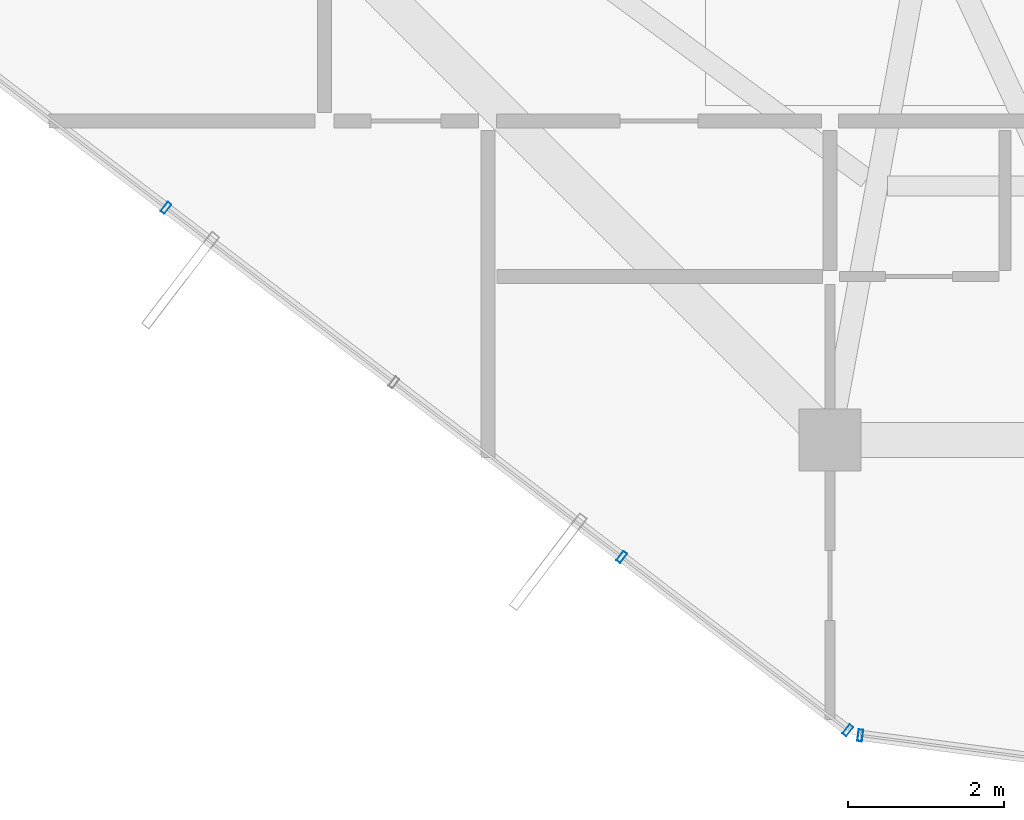
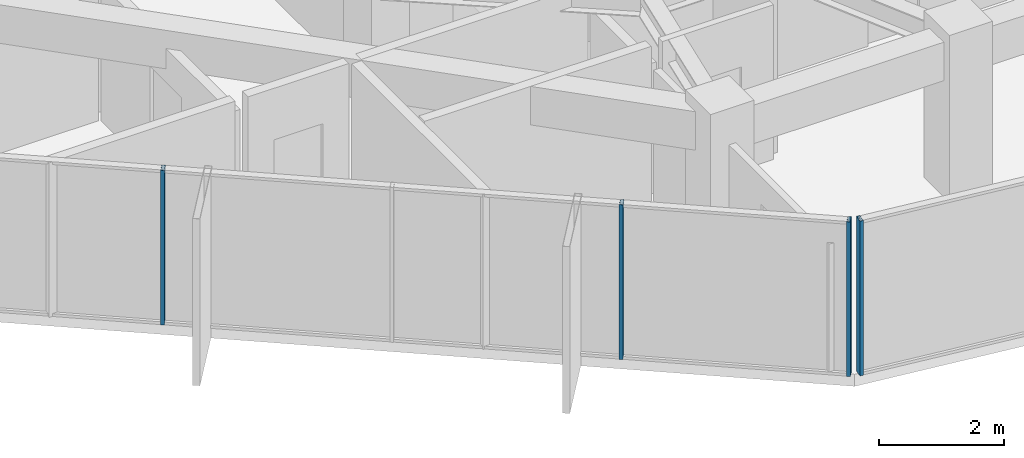
# One storey, part 4 of 31: 4 members, 2 elements without a shape of their own.
"""IFC4 building model written with IfcOpenShell, lengths in metres."""

from ifc_helpers import new_model, si_unit, direction, frame, origin, origin_2d, place, context, subcontext, project, spatial, hollow_rectangle, extrude, source, transform, mapped, material, layer, layer_set, material_profile, profile_set, type_object, element, aggregate, save


model = new_model("IFC4")

# Units and contexts
model_context = context("Model", 3, precision=1e-05, world=origin(), true_north=direction((0.0, 1.0)))
body_context = subcontext(model_context, "Body", "Model", "MODEL_VIEW")
ifc_project = project(units=[si_unit("LENGTHUNIT", "METRE"), si_unit("AREAUNIT", "SQUARE_METRE"), si_unit("VOLUMEUNIT", "CUBIC_METRE"), si_unit("PLANEANGLEUNIT", "RADIAN"), si_unit("MASSUNIT", "GRAM", prefix="KILO")], contexts=[model_context])

# Site, building, storey
site_placement = place(None, origin())
site = spatial("IfcSite", under=ifc_project, at=site_placement, CompositionType="ELEMENT")
building_placement = place(site_placement, origin())
building = spatial("IfcBuilding", under=site, at=building_placement, Name="Veraguas Prism Commons", CompositionType="ELEMENT")
storey_placement = place(building_placement, frame((0.0, 0.0, 233.300048828125)))
storey = spatial("IfcBuildingStorey", under=building, at=storey_placement, Name="L66", CompositionType="ELEMENT", Elevation=233.300048828125)

# Curtain wall, members
ifc_material = material(Name="Anodised aluminium EN AW-6063 T6", Category="aluminium")
ifc_layer = layer(ifc_material, 0.14990234375, Name="Unitised Flush Curtain Wall Zone 4", Category="aluminium")
ifc_layer_set = layer_set([ifc_layer], Name="Anodised aluminium EN AW-6063 T6")
curtain_wall_type = type_object("IfcCurtainWallType", Name="Unitised Flush Curtain Wall Zone 4", PredefinedType="NOTDEFINED", material=ifc_layer_set)
curtain_wall_1_placement = place(storey_placement, origin())
curtain_wall_1 = element("IfcCurtainWall", 1, at=curtain_wall_1_placement, inside=storey, type_object=curtain_wall_type, Name="Tower Facade Curtain Wall L66-F4", PredefinedType="NOTDEFINED")
ifc_material_profile = material_profile(ifc_material, hollow_rectangle(XDim=0.06005859375, YDim=0.14990234375, WallThickness=0.0029296875, at=origin_2d()), Name="AL60X150X3")
ifc_profile_set = profile_set([ifc_material_profile], Name="Anodised aluminium EN AW-6063 T6")
member_type = type_object("IfcMemberType", Name="Curtain Wall Mullion Upper AL 60x150x3", PredefinedType="MULLION", material=ifc_profile_set)
shared_shape = source(origin(), body_context, "Body", "SweptSolid", [
    extrude(hollow_rectangle(XDim=0.06005859375, YDim=0.14990234375, WallThickness=0.0029296875, at=origin_2d()), origin(), (0.0, 0.0, 1.0), 3.014892578125),
])
member_1_placement = place(storey_placement, frame((11.06201171875, 13.18408203125, 0.0), z_axis=(0.0, 0.0, 1.0), x_axis=(0.793780265613, -0.608204644773, 0.0)))
member_1 = element("IfcMember", 2, at=member_1_placement, type_object=member_type, Name="CW-Z4 Mullion 2", PredefinedType="MULLION", context=body_context, shape_type="MappedRepresentation", body=[
    mapped(shared_shape, transform((0.0, 0.0, 0.0), scale=1.0)),
])
member_2_placement = place(storey_placement, frame((16.922607421875, 8.693603515625, 0.0), z_axis=(0.0, 0.0, 1.0), x_axis=(0.793780265613, -0.608204644773, 0.0)))
member_2 = element("IfcMember", 3, at=member_2_placement, type_object=member_type, Name="CW-Z4 Mullion 4", PredefinedType="MULLION", context=body_context, shape_type="MappedRepresentation", body=[
    mapped(shared_shape, transform((0.0, 0.0, 0.0), scale=1.0)),
])
member_3_placement = place(storey_placement, frame((19.8291015625, 6.466552734375, 0.0), z_axis=(0.0, 0.0, 1.0), x_axis=(0.793780265613, -0.608204644773, 0.0)))
member_3 = element("IfcMember", 4, at=member_3_placement, type_object=member_type, Name="CW-Z4 Mullion 5", PredefinedType="MULLION", context=body_context, shape_type="MappedRepresentation", body=[
    mapped(shared_shape, transform((0.0, 0.0, 0.0), scale=1.0)),
])
aggregate(curtain_wall_1, [member_1, member_2, member_3])

# Curtain wall, member
curtain_wall_2_placement = place(storey_placement, origin())
curtain_wall_2 = element("IfcCurtainWall", 5, at=curtain_wall_2_placement, inside=storey, type_object=curtain_wall_type, Name="Chamfer Curtain Wall L66-C5", PredefinedType="NOTDEFINED")
member_4_placement = place(storey_placement, frame((19.98974609375, 6.400146484375, 0.0), z_axis=(0.0, 0.0, 1.0), x_axis=(0.991537556958, -0.129820156917, 0.0)))
member_4 = element("IfcMember", 6, at=member_4_placement, type_object=member_type, Name="CW-Z4 Mullion 1", PredefinedType="MULLION", context=body_context, shape_type="MappedRepresentation", body=[
    mapped(shared_shape, transform((0.0, 0.0, 0.0), scale=1.0)),
])
aggregate(curtain_wall_2, [member_4])

save(model, "model.ifc")
